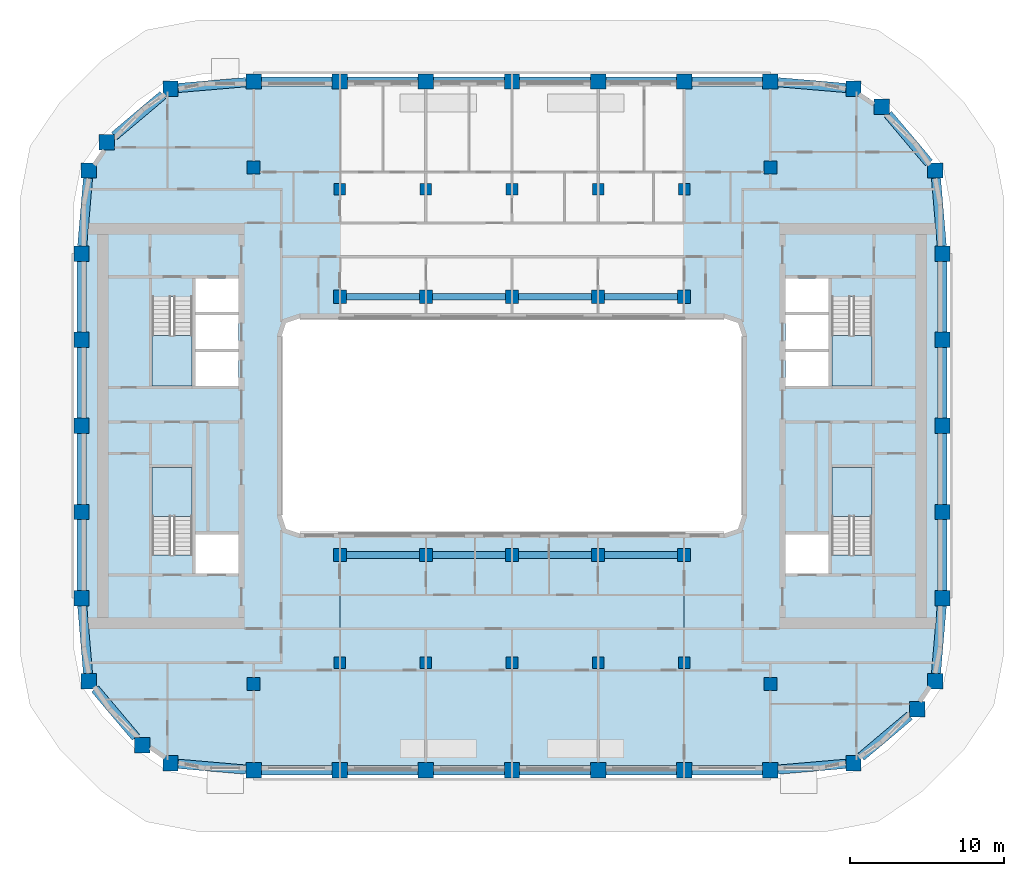
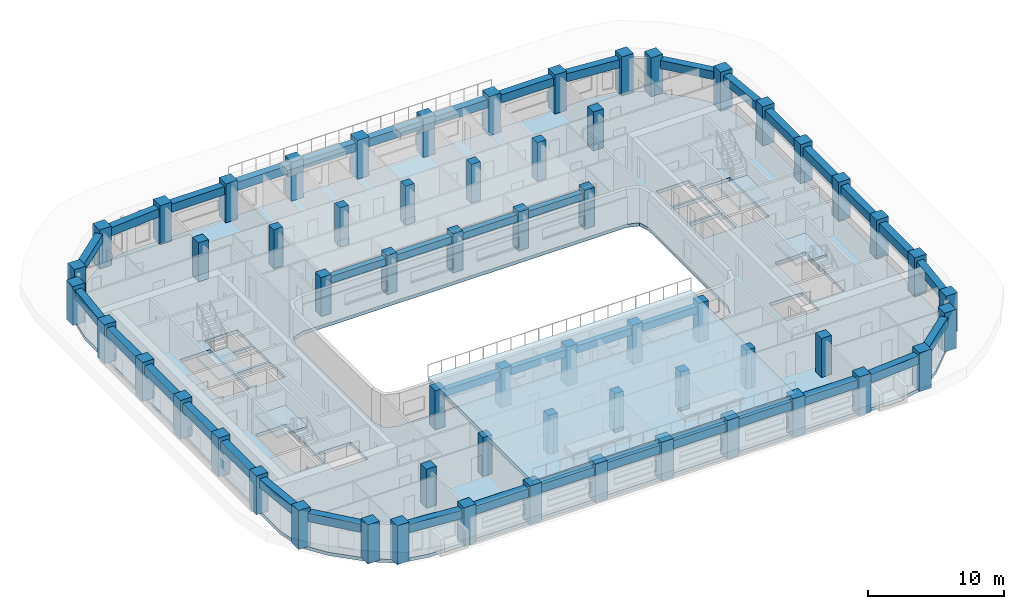
# One storey, part 1 of 17: 60 columns, 40 beams, 6 slabs, 4 elements without a shape of their own.
"""IFC4 building model written with IfcOpenShell, lengths in metres."""

from ifc_helpers import new_model, si_unit, direction, frame, origin, origin_2d, place, context, subcontext, project, spatial, polyline, rectangle, outline, extrude, material, layer, layer_set, material_profile, profile_set, type_object, element, aggregate, save


model = new_model("IFC4")

# Units and contexts
model_context = context("Model", 3, precision=1e-05, world=origin(), true_north=direction((0.0, 1.0)))
body_context = subcontext(model_context, "Body", "Model", "MODEL_VIEW")
ifc_project = project(units=[si_unit("LENGTHUNIT", "METRE"), si_unit("AREAUNIT", "SQUARE_METRE"), si_unit("VOLUMEUNIT", "CUBIC_METRE"), si_unit("PLANEANGLEUNIT", "RADIAN"), si_unit("MASSUNIT", "GRAM", prefix="KILO")], contexts=[model_context])

# Site, building, storey
site_placement = place(None, origin())
site = spatial("IfcSite", under=ifc_project, at=site_placement, CompositionType="ELEMENT")
building_placement = place(site_placement, origin())
building = spatial("IfcBuilding", under=site, at=building_placement, Name="Kiln Ring Residences", CompositionType="ELEMENT")
storey_placement = place(building_placement, frame((0.0, 0.0, 174.60009765625)))
storey = spatial("IfcBuildingStorey", under=building, at=storey_placement, Name="L45", CompositionType="ELEMENT", Elevation=174.60009765625)

# Columns
ifc_material_1 = material(Name="Concrete C70/85", Category="concrete")
ifc_material_profile_1 = material_profile(ifc_material_1, rectangle(XDim=0.75, YDim=0.75, at=origin_2d()), Name="RC750x750")
ifc_profile_set_1 = profile_set([ifc_material_profile_1], Name="Concrete C70/85")
column_type_1 = type_object("IfcColumnType", Name="Corridor column RC750x750 C70/85", PredefinedType="COLUMN", material=ifc_profile_set_1)
for number, where, z_axis, x_axis, name in (
    (1, (-11.199951171875, 15.39990234375, 0.0), (0.0, 0.0, 1.0), (1.0, 0.0, 0.0), "Corridor column L45 1"),
    (2, (-5.60009765625, 15.39990234375, 0.0), (0.0, 0.0, 1.0), (1.0, 0.0, 0.0), "Corridor column L45 2"),
    (3, (0.0, 15.39990234375, 0.0), (0.0, 0.0, 1.0), (1.0, 0.0, 0.0), "Corridor column L45 3"),
    (4, (5.60009765625, 15.39990234375, 0.0), (0.0, 0.0, 1.0), (1.0, 0.0, 0.0), "Corridor column L45 4"),
    (5, (11.199951171875, 15.39990234375, 0.0), (0.0, 0.0, 1.0), (1.0, 0.0, 0.0), "Corridor column L45 5"),
    (6, (-11.199951171875, -15.39990234375, 0.0), (0.0, 0.0, 1.0), (1.0, 0.0, 0.0), "Corridor column L45 6"),
    (7, (-5.60009765625, -15.39990234375, 0.0), (0.0, 0.0, 1.0), (1.0, 0.0, 0.0), "Corridor column L45 7"),
    (8, (0.0, -15.39990234375, 0.0), (0.0, 0.0, 1.0), (1.0, 0.0, 0.0), "Corridor column L45 8"),
    (9, (5.60009765625, -15.39990234375, 0.0), (0.0, 0.0, 1.0), (1.0, 0.0, 0.0), "Corridor column L45 9"),
    (10, (11.199951171875, -15.39990234375, 0.0), (0.0, 0.0, 1.0), (1.0, 0.0, 0.0), "Corridor column L45 10"),
):
    element("IfcColumn", number, at=place(storey_placement, frame(where, z_axis=z_axis, x_axis=x_axis)), inside=storey, type_object=column_type_1, Name=name, PredefinedType="COLUMN", context=body_context, shape_type="SweptSolid", body=[
        extrude(rectangle(XDim=0.75, YDim=0.75, at=origin_2d()), origin(), (0.0, 0.0, 1.0), 3.5),
    ])
ifc_material_2 = material(Name="Concrete C70/85", Category="concrete")
ifc_material_profile_2 = material_profile(ifc_material_2, rectangle(XDim=1.0, YDim=1.0, at=origin_2d()), Name="RC1000x1000")
ifc_profile_set_2 = profile_set([ifc_material_profile_2], Name="Concrete C70/85")
column_type_2 = type_object("IfcColumnType", Name="Perimeter column RC1000x1000 C70/85", PredefinedType="COLUMN", material=ifc_profile_set_2)
for number, where, z_axis, x_axis, name in (
    (11, (-22.208740234375, -21.93798828125, 0.0), (0.0, 0.0, 1.0), (1.0, 0.0, 0.0), "Perimeter column L45 1"),
    (12, (-16.800048828125, -22.39990234375, 0.0), (0.0, 0.0, 1.0), (1.0, 0.0, 0.0), "Perimeter column L45 2"),
    (13, (-11.199951171875, -22.39990234375, 0.0), (0.0, 0.0, 1.0), (1.0, 0.0, 0.0), "Perimeter column L45 3"),
    (14, (-5.60009765625, -22.39990234375, 0.0), (0.0, 0.0, 1.0), (1.0, 0.0, 0.0), "Perimeter column L45 4"),
    (15, (0.0, -22.39990234375, 0.0), (0.0, 0.0, 1.0), (1.0, 0.0, 0.0), "Perimeter column L45 5"),
    (16, (5.60009765625, -22.39990234375, 0.0), (0.0, 0.0, 1.0), (1.0, 0.0, 0.0), "Perimeter column L45 6"),
    (17, (11.199951171875, -22.39990234375, 0.0), (0.0, 0.0, 1.0), (1.0, 0.0, 0.0), "Perimeter column L45 7"),
    (18, (16.800048828125, -22.39990234375, 0.0), (0.0, 0.0, 1.0), (1.0, 0.0, 0.0), "Perimeter column L45 8"),
    (19, (22.208740234375, -21.93798828125, 0.0), (0.0, 0.0, 1.0), (1.0, 0.0, 0.0), "Perimeter column L45 9"),
    (20, (26.35986328125, -18.440185546875, 0.0), (0.0, 0.0, 1.0), (1.0, 0.0, 0.0), "Perimeter column L45 10"),
    (21, (27.5380859375, -16.608642578125, 0.0), (0.0, 0.0, 1.0), (1.0, 0.0, 0.0), "Perimeter column L45 11"),
    (22, (28.0, -11.199951171875, 0.0), (0.0, 0.0, 1.0), (1.0, 0.0, 0.0), "Perimeter column L45 12"),
    (23, (28.0, -5.60009765625, 0.0), (0.0, 0.0, 1.0), (1.0, 0.0, 0.0), "Perimeter column L45 13"),
    (24, (28.0, 0.0, 0.0), (0.0, 0.0, 1.0), (1.0, 0.0, 0.0), "Perimeter column L45 14"),
    (25, (28.0, 5.60009765625, 0.0), (0.0, 0.0, 1.0), (1.0, 0.0, 0.0), "Perimeter column L45 15"),
    (26, (28.0, 11.199951171875, 0.0), (0.0, 0.0, 1.0), (1.0, 0.0, 0.0), "Perimeter column L45 16"),
    (27, (27.5380859375, 16.608642578125, 0.0), (0.0, 0.0, 1.0), (1.0, 0.0, 0.0), "Perimeter column L45 17"),
    (28, (24.040283203125, 20.759765625, 0.0), (0.0, 0.0, 1.0), (1.0, 0.0, 0.0), "Perimeter column L45 18"),
    (29, (22.208740234375, 21.93798828125, 0.0), (0.0, 0.0, 1.0), (1.0, 0.0, 0.0), "Perimeter column L45 19"),
    (30, (16.800048828125, 22.39990234375, 0.0), (0.0, 0.0, 1.0), (1.0, 0.0, 0.0), "Perimeter column L45 20"),
    (31, (11.199951171875, 22.39990234375, 0.0), (0.0, 0.0, 1.0), (1.0, 0.0, 0.0), "Perimeter column L45 21"),
    (32, (5.60009765625, 22.39990234375, 0.0), (0.0, 0.0, 1.0), (1.0, 0.0, 0.0), "Perimeter column L45 22"),
    (33, (0.0, 22.39990234375, 0.0), (0.0, 0.0, 1.0), (1.0, 0.0, 0.0), "Perimeter column L45 23"),
    (34, (-5.60009765625, 22.39990234375, 0.0), (0.0, 0.0, 1.0), (1.0, 0.0, 0.0), "Perimeter column L45 24"),
    (35, (-11.199951171875, 22.39990234375, 0.0), (0.0, 0.0, 1.0), (1.0, 0.0, 0.0), "Perimeter column L45 25"),
    (36, (-16.800048828125, 22.39990234375, 0.0), (0.0, 0.0, 1.0), (1.0, 0.0, 0.0), "Perimeter column L45 26"),
    (37, (-22.208740234375, 21.93798828125, 0.0), (0.0, 0.0, 1.0), (1.0, 0.0, 0.0), "Perimeter column L45 27"),
    (38, (-26.35986328125, 18.440185546875, 0.0), (0.0, 0.0, 1.0), (1.0, 0.0, 0.0), "Perimeter column L45 28"),
    (39, (-27.5380859375, 16.608642578125, 0.0), (0.0, 0.0, 1.0), (1.0, 0.0, 0.0), "Perimeter column L45 29"),
    (40, (-28.0, 11.199951171875, 0.0), (0.0, 0.0, 1.0), (1.0, 0.0, 0.0), "Perimeter column L45 30"),
    (41, (-28.0, 5.60009765625, 0.0), (0.0, 0.0, 1.0), (1.0, 0.0, 0.0), "Perimeter column L45 31"),
    (42, (-28.0, 0.0, 0.0), (0.0, 0.0, 1.0), (1.0, 0.0, 0.0), "Perimeter column L45 32"),
    (43, (-28.0, -5.60009765625, 0.0), (0.0, 0.0, 1.0), (1.0, 0.0, 0.0), "Perimeter column L45 33"),
    (44, (-28.0, -11.199951171875, 0.0), (0.0, 0.0, 1.0), (1.0, 0.0, 0.0), "Perimeter column L45 34"),
    (45, (-27.5380859375, -16.608642578125, 0.0), (0.0, 0.0, 1.0), (1.0, 0.0, 0.0), "Perimeter column L45 35"),
    (46, (-24.040283203125, -20.759765625, 0.0), (0.0, 0.0, 1.0), (1.0, 0.0, 0.0), "Perimeter column L45 36"),
):
    element("IfcColumn", number, at=place(storey_placement, frame(where, z_axis=z_axis, x_axis=x_axis)), inside=storey, type_object=column_type_2, Name=name, PredefinedType="COLUMN", context=body_context, shape_type="SweptSolid", body=[
        extrude(rectangle(XDim=1.0, YDim=1.0, at=origin_2d()), origin(), (0.0, 0.0, 1.0), 3.5),
    ])
ifc_material_3 = material(Name="Concrete C70/85", Category="concrete")
ifc_material_profile_3 = material_profile(ifc_material_3, rectangle(XDim=0.85009765625, YDim=0.85009765625, at=origin_2d()), Name="RC850x850")
ifc_profile_set_3 = profile_set([ifc_material_profile_3], Name="Concrete C70/85")
column_type_3 = type_object("IfcColumnType", Name="Ring column RC850x850 C70/85", PredefinedType="COLUMN", material=ifc_profile_set_3)
for number, where, z_axis, x_axis, name in (
    (47, (-16.800048828125, -16.800048828125, 0.0), (0.0, 0.0, 1.0), (1.0, 0.0, 0.0), "Ring column L45 1"),
    (48, (-16.800048828125, 16.800048828125, 0.0), (0.0, 0.0, 1.0), (1.0, 0.0, 0.0), "Ring column L45 2"),
    (49, (-11.199951171875, -8.39990234375, 0.0), (0.0, 0.0, 1.0), (1.0, 0.0, 0.0), "Ring column L45 3"),
    (50, (-11.199951171875, 8.39990234375, 0.0), (0.0, 0.0, 1.0), (1.0, 0.0, 0.0), "Ring column L45 4"),
    (51, (-5.60009765625, -8.39990234375, 0.0), (0.0, 0.0, 1.0), (1.0, 0.0, 0.0), "Ring column L45 5"),
    (52, (-5.60009765625, 8.39990234375, 0.0), (0.0, 0.0, 1.0), (1.0, 0.0, 0.0), "Ring column L45 6"),
    (53, (0.0, -8.39990234375, 0.0), (0.0, 0.0, 1.0), (1.0, 0.0, 0.0), "Ring column L45 7"),
    (54, (0.0, 8.39990234375, 0.0), (0.0, 0.0, 1.0), (1.0, 0.0, 0.0), "Ring column L45 8"),
    (55, (5.60009765625, -8.39990234375, 0.0), (0.0, 0.0, 1.0), (1.0, 0.0, 0.0), "Ring column L45 9"),
    (56, (5.60009765625, 8.39990234375, 0.0), (0.0, 0.0, 1.0), (1.0, 0.0, 0.0), "Ring column L45 10"),
    (57, (11.199951171875, -8.39990234375, 0.0), (0.0, 0.0, 1.0), (1.0, 0.0, 0.0), "Ring column L45 11"),
    (58, (11.199951171875, 8.39990234375, 0.0), (0.0, 0.0, 1.0), (1.0, 0.0, 0.0), "Ring column L45 12"),
    (59, (16.800048828125, -16.800048828125, 0.0), (0.0, 0.0, 1.0), (1.0, 0.0, 0.0), "Ring column L45 13"),
    (60, (16.800048828125, 16.800048828125, 0.0), (0.0, 0.0, 1.0), (1.0, 0.0, 0.0), "Ring column L45 14"),
):
    element("IfcColumn", number, at=place(storey_placement, frame(where, z_axis=z_axis, x_axis=x_axis)), inside=storey, type_object=column_type_3, Name=name, PredefinedType="COLUMN", context=body_context, shape_type="SweptSolid", body=[
        extrude(rectangle(XDim=0.85009765625, YDim=0.85009765625, at=origin_2d()), origin(), (0.0, 0.0, 1.0), 3.5),
    ])

# Beams
ifc_material_4 = material(Name="Concrete C50/60", Category="concrete")
ifc_material_profile_4 = material_profile(ifc_material_4, rectangle(XDim=0.449951171875, YDim=0.64990234375, at=origin_2d()), Name="RC450x650")
ifc_profile_set_4 = profile_set([ifc_material_profile_4], Name="Concrete C50/60")
beam_type_1 = type_object("IfcBeamType", Name="Ring beam RC450x650 C50/60", PredefinedType="BEAM", material=ifc_profile_set_4)
for number, where, z_axis, x_axis, name in (
    (61, (-10.77490234375, -8.39990234375, 2.824951171875), (1.0, 0.0, 0.0), (0.0, 1.0, 0.0), "Ring beam L45 1"),
    (62, (-5.175048828125, -8.39990234375, 2.824951171875), (1.0, 0.0, 0.0), (0.0, 1.0, 0.0), "Ring beam L45 2"),
    (63, (0.425048828125, -8.39990234375, 2.824951171875), (1.0, 0.0, 0.0), (0.0, 1.0, 0.0), "Ring beam L45 3"),
    (64, (6.02490234375, -8.39990234375, 2.824951171875), (1.0, 0.0, 0.0), (0.0, 1.0, 0.0), "Ring beam L45 4"),
    (65, (-10.77490234375, 8.39990234375, 2.824951171875), (1.0, 0.0, 0.0), (0.0, 1.0, 0.0), "Ring beam L45 5"),
    (66, (-5.175048828125, 8.39990234375, 2.824951171875), (1.0, 0.0, 0.0), (0.0, 1.0, 0.0), "Ring beam L45 6"),
    (67, (0.425048828125, 8.39990234375, 2.824951171875), (1.0, 0.0, 0.0), (0.0, 1.0, 0.0), "Ring beam L45 7"),
    (68, (6.02490234375, 8.39990234375, 2.824951171875), (1.0, 0.0, 0.0), (0.0, 1.0, 0.0), "Ring beam L45 8"),
):
    element("IfcBeam", number, at=place(storey_placement, frame(where, z_axis=z_axis, x_axis=x_axis)), inside=storey, type_object=beam_type_1, Name=name, PredefinedType="BEAM", context=body_context, shape_type="SweptSolid", body=[
        extrude(rectangle(XDim=0.449951171875, YDim=0.64990234375, at=origin_2d()), origin(), (0.0, 0.0, 1.0), 4.75),
    ])
ifc_material_5 = material(Name="Concrete C50/60", Category="concrete")
ifc_material_profile_5 = material_profile(ifc_material_5, rectangle(XDim=0.60009765625, YDim=0.75, at=origin_2d()), Name="RC600x750")
ifc_profile_set_5 = profile_set([ifc_material_profile_5], Name="Concrete C50/60")
beam_type_2 = type_object("IfcBeamType", Name="Spandrel beam RC600x750 C50/60", PredefinedType="SPANDREL", material=ifc_profile_set_5)
beam_1_placement = place(storey_placement, frame((-21.708740234375, -21.980712890625, 2.77490234375), z_axis=(0.996369283519, -0.0851366599, 0.0), x_axis=(0.0851366599, 0.996369283519, 0.0)))
element("IfcBeam", 69, at=beam_1_placement, inside=storey, type_object=beam_type_2, Name="Spandrel beam L45 1", PredefinedType="SPANDREL", context=body_context, shape_type="SweptSolid", body=[
    extrude(rectangle(XDim=0.60009765625, YDim=0.75, at=origin_2d()), origin(), (0.0, 0.0, 1.0), 4.4248046875),
])
beam_2_placement = place(storey_placement, frame((-16.300048828125, -22.39990234375, 2.77490234375), z_axis=(1.0, 0.0, 0.0), x_axis=(0.0, 1.0, 0.0)))
element("IfcBeam", 70, at=beam_2_placement, inside=storey, type_object=beam_type_2, Name="Spandrel beam L45 2", PredefinedType="SPANDREL", context=body_context, shape_type="SweptSolid", body=[
    extrude(rectangle(XDim=0.60009765625, YDim=0.75, at=origin_2d()), origin(), (0.0, 0.0, 1.0), 4.60009765625),
])
beam_3_placement = place(storey_placement, frame((-10.699951171875, -22.39990234375, 2.77490234375), z_axis=(1.0, 0.0, 0.0), x_axis=(0.0, 1.0, 0.0)))
element("IfcBeam", 71, at=beam_3_placement, inside=storey, type_object=beam_type_2, Name="Spandrel beam L45 3", PredefinedType="SPANDREL", context=body_context, shape_type="SweptSolid", body=[
    extrude(rectangle(XDim=0.60009765625, YDim=0.75, at=origin_2d()), origin(), (0.0, 0.0, 1.0), 4.599853515625),
])
for number, where, z_axis, x_axis, name in (
    (72, (-5.10009765625, -22.39990234375, 2.77490234375), (1.0, 0.0, 0.0), (0.0, 1.0, 0.0), "Spandrel beam L45 4"),
    (73, (0.5, -22.39990234375, 2.77490234375), (1.0, 0.0, 0.0), (0.0, 1.0, 0.0), "Spandrel beam L45 5"),
):
    element("IfcBeam", number, at=place(storey_placement, frame(where, z_axis=z_axis, x_axis=x_axis)), inside=storey, type_object=beam_type_2, Name=name, PredefinedType="SPANDREL", context=body_context, shape_type="SweptSolid", body=[
        extrude(rectangle(XDim=0.60009765625, YDim=0.75, at=origin_2d()), origin(), (0.0, 0.0, 1.0), 4.60009765625),
    ])
beam_4_placement = place(storey_placement, frame((6.10009765625, -22.39990234375, 2.77490234375), z_axis=(1.0, 0.0, 0.0), x_axis=(0.0, 1.0, 0.0)))
element("IfcBeam", 74, at=beam_4_placement, inside=storey, type_object=beam_type_2, Name="Spandrel beam L45 6", PredefinedType="SPANDREL", context=body_context, shape_type="SweptSolid", body=[
    extrude(rectangle(XDim=0.60009765625, YDim=0.75, at=origin_2d()), origin(), (0.0, 0.0, 1.0), 4.599853515625),
])
beam_5_placement = place(storey_placement, frame((11.699951171875, -22.39990234375, 2.77490234375), z_axis=(1.0, 0.0, 0.0), x_axis=(0.0, 1.0, 0.0)))
element("IfcBeam", 75, at=beam_5_placement, inside=storey, type_object=beam_type_2, Name="Spandrel beam L45 7", PredefinedType="SPANDREL", context=body_context, shape_type="SweptSolid", body=[
    extrude(rectangle(XDim=0.60009765625, YDim=0.75, at=origin_2d()), origin(), (0.0, 0.0, 1.0), 4.60009765625),
])
beam_6_placement = place(storey_placement, frame((17.300048828125, -22.357421875, 2.77490234375), z_axis=(0.996369283519, 0.0851366599, 0.0), x_axis=(-0.0851366599, 0.996369283519, 0.0)))
element("IfcBeam", 76, at=beam_6_placement, inside=storey, type_object=beam_type_2, Name="Spandrel beam L45 8", PredefinedType="SPANDREL", context=body_context, shape_type="SweptSolid", body=[
    extrude(rectangle(XDim=0.60009765625, YDim=0.75, at=origin_2d()), origin(), (0.0, 0.0, 1.0), 4.4248046875),
])
beam_7_placement = place(storey_placement, frame((22.708740234375, -21.516845703125, 2.77490234375), z_axis=(0.764708354916, 0.644376545136, 0.0), x_axis=(-0.644376545136, 0.764708354916, 0.0)))
element("IfcBeam", 77, at=beam_7_placement, inside=storey, type_object=beam_type_2, Name="Spandrel beam L45 9", PredefinedType="SPANDREL", context=body_context, shape_type="SweptSolid", body=[
    extrude(rectangle(XDim=0.60009765625, YDim=0.75, at=origin_2d()), origin(), (0.0, 0.0, 1.0), 4.12060546875),
])
beam_8_placement = place(storey_placement, frame((27.580810546875, -16.108642578125, 2.77490234375), z_axis=(0.085081883384, 0.996373962486, 0.0), x_axis=(-0.996373962486, 0.085081883384, 0.0)))
element("IfcBeam", 78, at=beam_8_placement, inside=storey, type_object=beam_type_2, Name="Spandrel beam L45 10", PredefinedType="SPANDREL", context=body_context, shape_type="SweptSolid", body=[
    extrude(rectangle(XDim=0.60009765625, YDim=0.75, at=origin_2d()), origin(), (0.0, 0.0, 1.0), 4.4248046875),
])
beam_9_placement = place(storey_placement, frame((28.0, -10.699951171875, 2.77490234375), z_axis=(0.0, 1.0, 0.0), x_axis=(-1.0, 0.0, 0.0)))
element("IfcBeam", 79, at=beam_9_placement, inside=storey, type_object=beam_type_2, Name="Spandrel beam L45 11", PredefinedType="SPANDREL", context=body_context, shape_type="SweptSolid", body=[
    extrude(rectangle(XDim=0.60009765625, YDim=0.75, at=origin_2d()), origin(), (0.0, 0.0, 1.0), 4.599853515625),
])
for number, where, z_axis, x_axis, name in (
    (80, (28.0, -5.10009765625, 2.77490234375), (0.0, 1.0, 0.0), (-1.0, 0.0, 0.0), "Spandrel beam L45 12"),
    (81, (28.0, 0.5, 2.77490234375), (0.0, 1.0, 0.0), (-1.0, 0.0, 0.0), "Spandrel beam L45 13"),
):
    element("IfcBeam", number, at=place(storey_placement, frame(where, z_axis=z_axis, x_axis=x_axis)), inside=storey, type_object=beam_type_2, Name=name, PredefinedType="SPANDREL", context=body_context, shape_type="SweptSolid", body=[
        extrude(rectangle(XDim=0.60009765625, YDim=0.75, at=origin_2d()), origin(), (0.0, 0.0, 1.0), 4.60009765625),
    ])
beam_10_placement = place(storey_placement, frame((28.0, 6.10009765625, 2.77490234375), z_axis=(0.0, 1.0, 0.0), x_axis=(-1.0, 0.0, 0.0)))
element("IfcBeam", 82, at=beam_10_placement, inside=storey, type_object=beam_type_2, Name="Spandrel beam L45 14", PredefinedType="SPANDREL", context=body_context, shape_type="SweptSolid", body=[
    extrude(rectangle(XDim=0.60009765625, YDim=0.75, at=origin_2d()), origin(), (0.0, 0.0, 1.0), 4.599853515625),
])
beam_11_placement = place(storey_placement, frame((27.957275390625, 11.699951171875, 2.77490234375), z_axis=(-0.085081883384, 0.996373962486, 0.0), x_axis=(-0.996373962486, -0.085081883384, 0.0)))
element("IfcBeam", 83, at=beam_11_placement, inside=storey, type_object=beam_type_2, Name="Spandrel beam L45 15", PredefinedType="SPANDREL", context=body_context, shape_type="SweptSolid", body=[
    extrude(rectangle(XDim=0.60009765625, YDim=0.75, at=origin_2d()), origin(), (0.0, 0.0, 1.0), 4.4248046875),
])
beam_12_placement = place(storey_placement, frame((27.11669921875, 17.108642578125, 2.77490234375), z_axis=(-0.644376545136, 0.764708354916, 0.0), x_axis=(-0.764708354916, -0.644376545136, 0.0)))
element("IfcBeam", 84, at=beam_12_placement, inside=storey, type_object=beam_type_2, Name="Spandrel beam L45 16", PredefinedType="SPANDREL", context=body_context, shape_type="SweptSolid", body=[
    extrude(rectangle(XDim=0.60009765625, YDim=0.75, at=origin_2d()), origin(), (0.0, 0.0, 1.0), 4.12060546875),
])
beam_13_placement = place(storey_placement, frame((21.708740234375, 21.980712890625, 2.77490234375), z_axis=(-0.996369283519, 0.0851366599, 0.0), x_axis=(-0.0851366599, -0.996369283519, 0.0)))
element("IfcBeam", 85, at=beam_13_placement, inside=storey, type_object=beam_type_2, Name="Spandrel beam L45 17", PredefinedType="SPANDREL", context=body_context, shape_type="SweptSolid", body=[
    extrude(rectangle(XDim=0.60009765625, YDim=0.75, at=origin_2d()), origin(), (0.0, 0.0, 1.0), 4.4248046875),
])
beam_14_placement = place(storey_placement, frame((16.300048828125, 22.39990234375, 2.77490234375), z_axis=(-1.0, 0.0, 0.0), x_axis=(0.0, -1.0, 0.0)))
element("IfcBeam", 86, at=beam_14_placement, inside=storey, type_object=beam_type_2, Name="Spandrel beam L45 18", PredefinedType="SPANDREL", context=body_context, shape_type="SweptSolid", body=[
    extrude(rectangle(XDim=0.60009765625, YDim=0.75, at=origin_2d()), origin(), (0.0, 0.0, 1.0), 4.60009765625),
])
beam_15_placement = place(storey_placement, frame((10.699951171875, 22.39990234375, 2.77490234375), z_axis=(-1.0, 0.0, 0.0), x_axis=(0.0, -1.0, 0.0)))
element("IfcBeam", 87, at=beam_15_placement, inside=storey, type_object=beam_type_2, Name="Spandrel beam L45 19", PredefinedType="SPANDREL", context=body_context, shape_type="SweptSolid", body=[
    extrude(rectangle(XDim=0.60009765625, YDim=0.75, at=origin_2d()), origin(), (0.0, 0.0, 1.0), 4.599853515625),
])
for number, where, z_axis, x_axis, name in (
    (88, (5.10009765625, 22.39990234375, 2.77490234375), (-1.0, 0.0, 0.0), (0.0, -1.0, 0.0), "Spandrel beam L45 20"),
    (89, (-0.5, 22.39990234375, 2.77490234375), (-1.0, 0.0, 0.0), (0.0, -1.0, 0.0), "Spandrel beam L45 21"),
):
    element("IfcBeam", number, at=place(storey_placement, frame(where, z_axis=z_axis, x_axis=x_axis)), inside=storey, type_object=beam_type_2, Name=name, PredefinedType="SPANDREL", context=body_context, shape_type="SweptSolid", body=[
        extrude(rectangle(XDim=0.60009765625, YDim=0.75, at=origin_2d()), origin(), (0.0, 0.0, 1.0), 4.60009765625),
    ])
beam_16_placement = place(storey_placement, frame((-6.10009765625, 22.39990234375, 2.77490234375), z_axis=(-1.0, 0.0, 0.0), x_axis=(0.0, -1.0, 0.0)))
element("IfcBeam", 90, at=beam_16_placement, inside=storey, type_object=beam_type_2, Name="Spandrel beam L45 22", PredefinedType="SPANDREL", context=body_context, shape_type="SweptSolid", body=[
    extrude(rectangle(XDim=0.60009765625, YDim=0.75, at=origin_2d()), origin(), (0.0, 0.0, 1.0), 4.599853515625),
])
beam_17_placement = place(storey_placement, frame((-11.699951171875, 22.39990234375, 2.77490234375), z_axis=(-1.0, 0.0, 0.0), x_axis=(0.0, -1.0, 0.0)))
element("IfcBeam", 91, at=beam_17_placement, inside=storey, type_object=beam_type_2, Name="Spandrel beam L45 23", PredefinedType="SPANDREL", context=body_context, shape_type="SweptSolid", body=[
    extrude(rectangle(XDim=0.60009765625, YDim=0.75, at=origin_2d()), origin(), (0.0, 0.0, 1.0), 4.60009765625),
])
beam_18_placement = place(storey_placement, frame((-17.300048828125, 22.357421875, 2.77490234375), z_axis=(-0.996369283519, -0.0851366599, 0.0), x_axis=(0.0851366599, -0.996369283519, 0.0)))
element("IfcBeam", 92, at=beam_18_placement, inside=storey, type_object=beam_type_2, Name="Spandrel beam L45 24", PredefinedType="SPANDREL", context=body_context, shape_type="SweptSolid", body=[
    extrude(rectangle(XDim=0.60009765625, YDim=0.75, at=origin_2d()), origin(), (0.0, 0.0, 1.0), 4.4248046875),
])
beam_19_placement = place(storey_placement, frame((-22.708740234375, 21.516845703125, 2.77490234375), z_axis=(-0.764708354916, -0.644376545136, 0.0), x_axis=(0.644376545136, -0.764708354916, 0.0)))
element("IfcBeam", 93, at=beam_19_placement, inside=storey, type_object=beam_type_2, Name="Spandrel beam L45 25", PredefinedType="SPANDREL", context=body_context, shape_type="SweptSolid", body=[
    extrude(rectangle(XDim=0.60009765625, YDim=0.75, at=origin_2d()), origin(), (0.0, 0.0, 1.0), 4.12060546875),
])
beam_20_placement = place(storey_placement, frame((-27.580810546875, 16.108642578125, 2.77490234375), z_axis=(-0.085081883384, -0.996373962486, 0.0), x_axis=(0.996373962486, -0.085081883384, 0.0)))
element("IfcBeam", 94, at=beam_20_placement, inside=storey, type_object=beam_type_2, Name="Spandrel beam L45 26", PredefinedType="SPANDREL", context=body_context, shape_type="SweptSolid", body=[
    extrude(rectangle(XDim=0.60009765625, YDim=0.75, at=origin_2d()), origin(), (0.0, 0.0, 1.0), 4.4248046875),
])
beam_21_placement = place(storey_placement, frame((-28.0, 10.699951171875, 2.77490234375), z_axis=(0.0, -1.0, 0.0), x_axis=(1.0, 0.0, 0.0)))
element("IfcBeam", 95, at=beam_21_placement, inside=storey, type_object=beam_type_2, Name="Spandrel beam L45 27", PredefinedType="SPANDREL", context=body_context, shape_type="SweptSolid", body=[
    extrude(rectangle(XDim=0.60009765625, YDim=0.75, at=origin_2d()), origin(), (0.0, 0.0, 1.0), 4.599853515625),
])
for number, where, z_axis, x_axis, name in (
    (96, (-28.0, 5.10009765625, 2.77490234375), (0.0, -1.0, 0.0), (1.0, 0.0, 0.0), "Spandrel beam L45 28"),
    (97, (-28.0, -0.5, 2.77490234375), (0.0, -1.0, 0.0), (1.0, 0.0, 0.0), "Spandrel beam L45 29"),
):
    element("IfcBeam", number, at=place(storey_placement, frame(where, z_axis=z_axis, x_axis=x_axis)), inside=storey, type_object=beam_type_2, Name=name, PredefinedType="SPANDREL", context=body_context, shape_type="SweptSolid", body=[
        extrude(rectangle(XDim=0.60009765625, YDim=0.75, at=origin_2d()), origin(), (0.0, 0.0, 1.0), 4.60009765625),
    ])
beam_22_placement = place(storey_placement, frame((-28.0, -6.10009765625, 2.77490234375), z_axis=(0.0, -1.0, 0.0), x_axis=(1.0, 0.0, 0.0)))
element("IfcBeam", 98, at=beam_22_placement, inside=storey, type_object=beam_type_2, Name="Spandrel beam L45 30", PredefinedType="SPANDREL", context=body_context, shape_type="SweptSolid", body=[
    extrude(rectangle(XDim=0.60009765625, YDim=0.75, at=origin_2d()), origin(), (0.0, 0.0, 1.0), 4.599853515625),
])
beam_23_placement = place(storey_placement, frame((-27.957275390625, -11.699951171875, 2.77490234375), z_axis=(0.085081883384, -0.996373962486, 0.0), x_axis=(0.996373962486, 0.085081883384, 0.0)))
element("IfcBeam", 99, at=beam_23_placement, inside=storey, type_object=beam_type_2, Name="Spandrel beam L45 31", PredefinedType="SPANDREL", context=body_context, shape_type="SweptSolid", body=[
    extrude(rectangle(XDim=0.60009765625, YDim=0.75, at=origin_2d()), origin(), (0.0, 0.0, 1.0), 4.4248046875),
])
beam_24_placement = place(storey_placement, frame((-27.11669921875, -17.108642578125, 2.77490234375), z_axis=(0.644376545136, -0.764708354916, 0.0), x_axis=(0.764708354916, 0.644376545136, 0.0)))
element("IfcBeam", 100, at=beam_24_placement, inside=storey, type_object=beam_type_2, Name="Spandrel beam L45 32", PredefinedType="SPANDREL", context=body_context, shape_type="SweptSolid", body=[
    extrude(rectangle(XDim=0.60009765625, YDim=0.75, at=origin_2d()), origin(), (0.0, 0.0, 1.0), 4.12060546875),
])

# Stair, slab
ifc_material_6 = material(Name="Concrete C40/50", Category="concrete")
stair_type = type_object("IfcStairType", Name="CORE-STAIR", PredefinedType="HALF_TURN_STAIR", material=ifc_material_6)
placement_1 = place(storey_placement, origin())
stair_1 = element("IfcStair", 101, at=placement_1, inside=storey, type_object=stair_type, Name="L45 stair W-STN", PredefinedType="HALF_TURN_STAIR")
ifc_material_7 = material(Name="Concrete C40/50", Category="concrete")
ifc_layer_1 = layer(ifc_material_7, 0.199951171875)
ifc_layer_set_1 = layer_set([ifc_layer_1], Name="CORE-STAIR-LANDING")
slab_type_1 = type_object("IfcSlabType", Name="CORE-STAIR-LANDING", PredefinedType="LANDING", material=ifc_layer_set_1)
placement_2 = place(storey_placement, frame((0.0, 0.0, 1.5498046875)))
slab_1 = element("IfcSlab", 102, at=placement_2, type_object=slab_type_1, Name="W-STN landing 1", PredefinedType="LANDING", context=body_context, shape_type="SweptSolid", body=[
    extrude(outline(polyline([(-23.39990234375, 5.8798828125), (-23.39990234375, 2.60009765625), (-20.800048828125, 2.60009765625), (-20.800048828125, 5.8798828125), (-23.39990234375, 5.8798828125)])), origin(), (0.0, 0.0, 1.0), 0.2001953125),
])
aggregate(stair_1, [slab_1])

stair_2 = element("IfcStair", 103, at=placement_1, inside=storey, type_object=stair_type, Name="L45 stair W-STS", PredefinedType="HALF_TURN_STAIR")
slab_2 = element("IfcSlab", 104, at=placement_2, type_object=slab_type_1, Name="W-STS landing 1", PredefinedType="LANDING", context=body_context, shape_type="SweptSolid", body=[
    extrude(outline(polyline([(-20.800048828125, -5.8798828125), (-20.800048828125, -2.699951171875), (-23.39990234375, -2.699951171875), (-23.39990234375, -5.8798828125), (-20.800048828125, -5.8798828125)])), origin(), (0.0, 0.0, 1.0), 0.2001953125),
])
aggregate(stair_2, [slab_2])

stair_3 = element("IfcStair", 105, at=placement_1, inside=storey, type_object=stair_type, Name="L45 stair E-STN", PredefinedType="HALF_TURN_STAIR")
slab_3 = element("IfcSlab", 106, at=placement_2, type_object=slab_type_1, Name="E-STN landing 1", PredefinedType="LANDING", context=body_context, shape_type="SweptSolid", body=[
    extrude(outline(polyline([(20.800048828125, 5.8798828125), (20.800048828125, 2.60009765625), (23.39990234375, 2.60009765625), (23.39990234375, 5.8798828125), (20.800048828125, 5.8798828125)])), origin(), (0.0, 0.0, 1.0), 0.2001953125),
])
aggregate(stair_3, [slab_3])

stair_4 = element("IfcStair", 107, at=placement_1, inside=storey, type_object=stair_type, Name="L45 stair E-STS", PredefinedType="HALF_TURN_STAIR")
slab_4 = element("IfcSlab", 108, at=placement_2, type_object=slab_type_1, Name="E-STS landing 1", PredefinedType="LANDING", context=body_context, shape_type="SweptSolid", body=[
    extrude(outline(polyline([(23.39990234375, -5.8798828125), (23.39990234375, -2.699951171875), (20.800048828125, -2.699951171875), (20.800048828125, -5.8798828125), (23.39990234375, -5.8798828125)])), origin(), (0.0, 0.0, 1.0), 0.2001953125),
])
aggregate(stair_4, [slab_4])

# Slabs
ifc_material_8 = material(Name="Concrete C40/50", Category="concrete")
ifc_layer_2 = layer(ifc_material_8, 0.300048828125)
ifc_layer_set_2 = layer_set([ifc_layer_2], Name="Floor slab 300")
slab_type_2 = type_object("IfcSlabType", Name="Floor slab 300", PredefinedType="FLOOR", material=ifc_layer_set_2)
slab_5_placement = place(storey_placement, frame((0.0, 0.0, -0.300048828125)))
element("IfcSlab", 109, at=slab_5_placement, inside=storey, type_object=slab_type_2, Name="Floor slab L45 1", PredefinedType="FLOOR", context=body_context, shape_type="SweptSolid", body=[
    extrude(outline(polyline([(-26.302978515625, -18.4970703125), (-24.09716796875, -20.702880859375), (-22.224365234375, -21.975830078125), (-20.0, -22.39990234375), (20.0, -22.39990234375), (22.224365234375, -21.975830078125), (24.09716796875, -20.702880859375), (26.302978515625, -18.4970703125), (27.57568359375, -16.624267578125), (28.0, -14.39990234375), (28.0, 14.39990234375), (27.57568359375, 16.624267578125), (26.302978515625, 18.4970703125), (24.09716796875, 20.702880859375), (22.224365234375, 21.975830078125), (20.0, 22.39990234375), (-20.0, 22.39990234375), (-22.224365234375, 21.975830078125), (-24.09716796875, 20.702880859375), (-26.302978515625, 18.4970703125), (-27.57568359375, 16.624267578125), (-28.0, 14.39990234375), (-28.0, -14.39990234375), (-27.57568359375, -16.624267578125), (-26.302978515625, -18.4970703125)]), holes=[polyline([(-14.699951171875, -6.699951171875), (-15.0, -5.800048828125), (-15.0, 5.800048828125), (-14.699951171875, 6.699951171875), (-13.800048828125, 7.0), (13.800048828125, 7.0), (14.699951171875, 6.699951171875), (15.0, 5.800048828125), (15.0, -5.800048828125), (14.699951171875, -6.699951171875), (13.800048828125, -7.0), (-13.800048828125, -7.0), (-14.699951171875, -6.699951171875)]), polyline([(20.800048828125, -8.39794921875), (20.800048828125, -2.699951171875), (23.39990234375, -2.699951171875), (23.39990234375, -8.39794921875), (20.800048828125, -8.39794921875)]), polyline([(23.39990234375, 2.60009765625), (20.800048828125, 2.60009765625), (20.800048828125, 8.39794921875), (23.39990234375, 8.39794921875), (23.39990234375, 2.60009765625)]), polyline([(17.800048828125, 2.60009765625), (17.800048828125, 4.800048828125), (20.60009765625, 4.800048828125), (20.60009765625, 2.60009765625), (17.800048828125, 2.60009765625)]), polyline([(17.800048828125, 5.0), (17.800048828125, 7.199951171875), (20.60009765625, 7.199951171875), (20.60009765625, 5.0), (17.800048828125, 5.0)]), polyline([(17.800048828125, 7.39990234375), (17.800048828125, 9.60009765625), (20.60009765625, 9.60009765625), (20.60009765625, 7.39990234375), (17.800048828125, 7.39990234375)]), polyline([(20.60009765625, -9.60009765625), (17.800048828125, -9.60009765625), (17.800048828125, -7.050048828125), (20.60009765625, -7.050048828125), (20.60009765625, -9.60009765625)]), polyline([(-17.800048828125, -7.050048828125), (-17.800048828125, -9.60009765625), (-20.60009765625, -9.60009765625), (-20.60009765625, -7.050048828125), (-17.800048828125, -7.050048828125)]), polyline([(-17.800048828125, 2.60009765625), (-20.60009765625, 2.60009765625), (-20.60009765625, 4.800048828125), (-17.800048828125, 4.800048828125), (-17.800048828125, 2.60009765625)]), polyline([(-17.800048828125, 5.0), (-20.60009765625, 5.0), (-20.60009765625, 7.199951171875), (-17.800048828125, 7.199951171875), (-17.800048828125, 5.0)]), polyline([(-17.800048828125, 7.39990234375), (-20.60009765625, 7.39990234375), (-20.60009765625, 9.60009765625), (-17.800048828125, 9.60009765625), (-17.800048828125, 7.39990234375)]), polyline([(-20.800048828125, -8.39794921875), (-23.39990234375, -8.39794921875), (-23.39990234375, -2.699951171875), (-20.800048828125, -2.699951171875), (-20.800048828125, -8.39794921875)]), polyline([(-20.800048828125, 8.39794921875), (-20.800048828125, 2.60009765625), (-23.39990234375, 2.60009765625), (-23.39990234375, 8.39794921875), (-20.800048828125, 8.39794921875)])]), origin(), (0.0, 0.0, 1.0), 0.300048828125),
])
ifc_material_9 = material(Name="Concrete C40/50", Category="concrete")
ifc_layer_3 = layer(ifc_material_9, 0.35009765625)
ifc_layer_set_3 = layer_set([ifc_layer_3], Name="Roof slab 350")
slab_type_3 = type_object("IfcSlabType", Name="Roof slab 350", PredefinedType="ROOF", material=ifc_layer_set_3)
slab_6_placement = place(storey_placement, frame((0.0, 0.0, 3.14990234375)))
element("IfcSlab", 110, at=slab_6_placement, inside=storey, type_object=slab_type_3, Name="Roof slab L45 1", PredefinedType="ROOF", context=body_context, shape_type="SweptSolid", body=[
    extrude(outline(polyline([(11.199462890625, -22.39990234375), (11.199462890625, -7.0), (-11.199462890625, -7.0), (-11.199462890625, -22.39990234375), (11.199462890625, -22.39990234375)])), origin(), (0.0, 0.0, 1.0), 0.35009765625),
])

save(model, "model.ifc")
